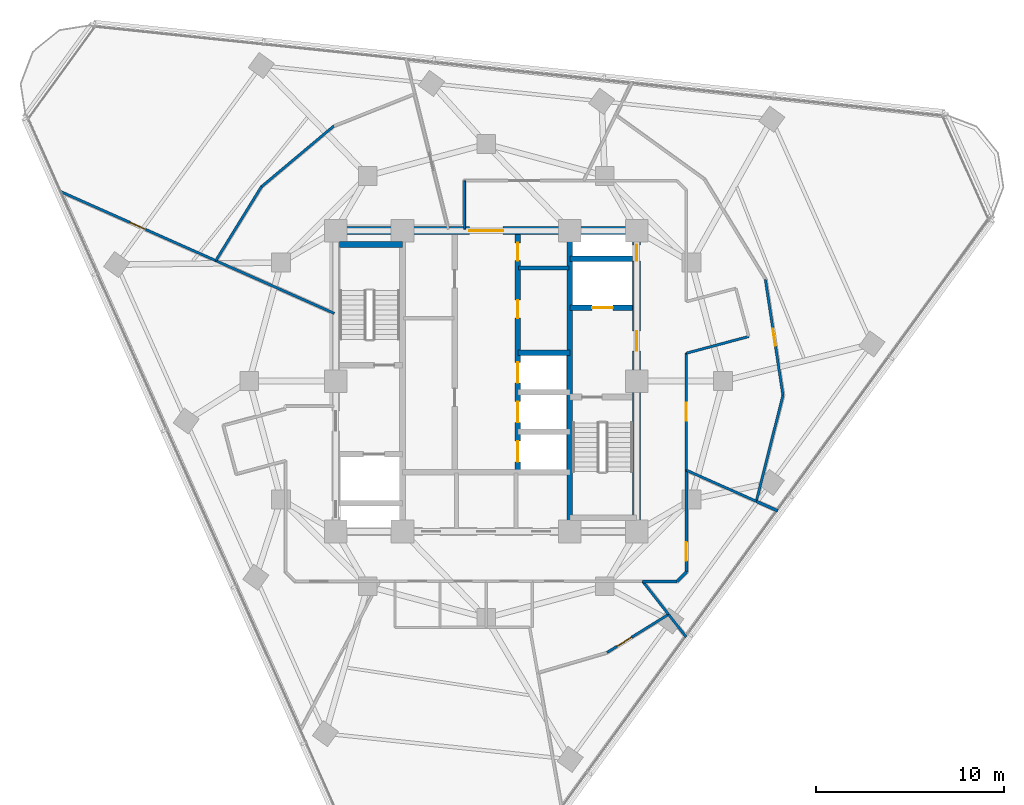
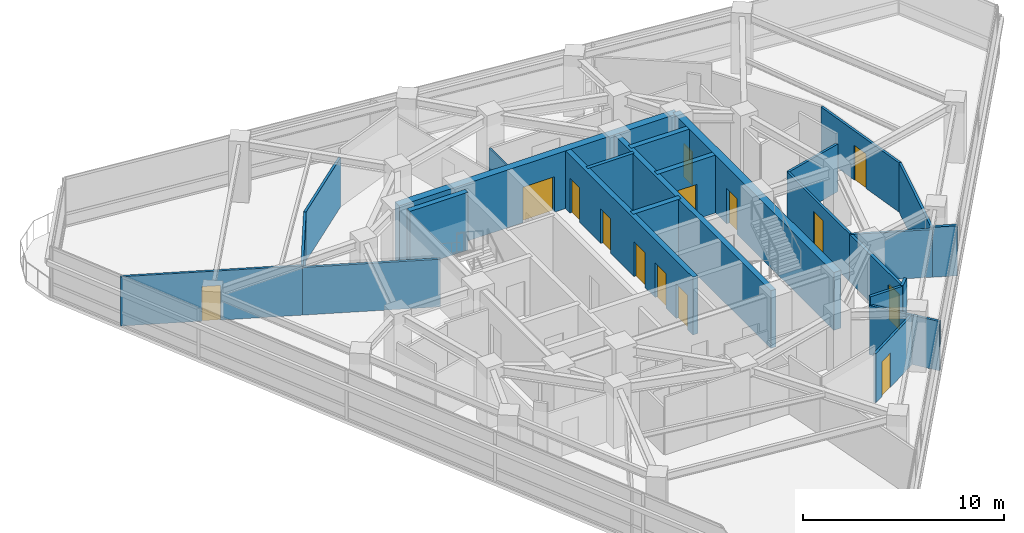
# One storey, part 9 of 15: 26 walls, 14 doors, 14 openings.
"""IFC4 building model written with IfcOpenShell, lengths in metres."""

from ifc_helpers import new_model, si_unit, direction, frame, frame_2d, origin, place, context, subcontext, project, spatial, rectangle, extrude, material, layer, layer_set, type_object, element, fill, save


model = new_model("IFC4")

# Units and contexts
model_context = context("Model", 3, precision=1e-05, world=origin(), true_north=direction((0.0, 1.0)))
body_context = subcontext(model_context, "Body", "Model", "MODEL_VIEW")
ifc_project = project(units=[si_unit("LENGTHUNIT", "METRE"), si_unit("AREAUNIT", "SQUARE_METRE"), si_unit("VOLUMEUNIT", "CUBIC_METRE"), si_unit("PLANEANGLEUNIT", "RADIAN"), si_unit("MASSUNIT", "GRAM", prefix="KILO")], contexts=[model_context])

# Site, building, storey
site_placement = place(None, origin())
site = spatial("IfcSite", under=ifc_project, at=site_placement, CompositionType="ELEMENT")
building_placement = place(site_placement, origin())
building = spatial("IfcBuilding", under=site, at=building_placement, Name="Terralouvre Media Tower", CompositionType="ELEMENT")
storey_placement = place(building_placement, frame((0.0, 0.0, 237.39990234375)))
storey = spatial("IfcBuildingStorey", under=building, at=storey_placement, Name="L61", CompositionType="ELEMENT", Elevation=237.39990234375)

# Walls
ifc_material_1 = material(Name="Concrete C50/60", Category="concrete")
ifc_layer_1 = layer(ifc_material_1, 0.300048828125, Name="Core Internal Shaft Wall CW-300")
ifc_layer_set_1 = layer_set([ifc_layer_1], Name="Concrete C50/60")
wall_type_1 = type_object("IfcWallType", Name="Core Internal Shaft Wall CW-300", PredefinedType="SHEAR", material=ifc_layer_set_1)
wall_1_placement = place(storey_placement, frame((4.449951171875, -7.7900390625, 0.0), z_axis=(0.0, 0.0, 1.0), x_axis=(0.0, 1.0, 0.0)))
element("IfcWall", 1, at=wall_1_placement, inside=storey, type_object=wall_type_1, Name="L61 Core Shaft Wall SPE", PredefinedType="SHEAR", context=body_context, shape_type="SweptSolid", body=[
    extrude(rectangle(XDim=15.580078125, YDim=0.300048828125, at=frame_2d((7.7900390625, 0.0))), origin(), (0.0, 0.0, 1.0), 3.5),
])
wall_2_placement = place(storey_placement, frame((-7.7900390625, 7.260009765625, 0.0), z_axis=(0.0, 0.0, 1.0), x_axis=(1.0, 0.0, 0.0)))
element("IfcWall", 2, at=wall_2_placement, inside=storey, type_object=wall_type_1, Name="L61 Core Shaft Wall ST1F", PredefinedType="SHEAR", context=body_context, shape_type="SweptSolid", body=[
    extrude(rectangle(XDim=3.340087890625, YDim=0.300048828125, at=frame_2d((1.669921875, 0.0))), origin(), (0.0, 0.0, 1.0), 3.5),
])

# Wall, opening, door
wall_3_placement = place(storey_placement, frame((4.449951171875, 3.89990234375, 0.0), z_axis=(0.0, 0.0, 1.0), x_axis=(1.0, 0.0, 0.0)))
wall_3 = element("IfcWall", 3, at=wall_3_placement, inside=storey, type_object=wall_type_1, Name="L61 Core Shaft Wall FF2S", PredefinedType="SHEAR", context=body_context, shape_type="SweptSolid", body=[
    extrude(rectangle(XDim=3.340087890625, YDim=0.300048828125, at=frame_2d((1.669921875, 0.0))), origin(), (0.0, 0.0, 1.0), 3.5),
])
opening_1_placement = place(wall_3_placement, frame((1.179931640625, 0.0, 0.0)))
opening_1 = element("IfcOpeningElement", 4, at=opening_1_placement, cuts=wall_3, Name="Opening LD-FF", PredefinedType="OPENING", context=body_context, shape_type="SweptSolid", body=[
    extrude(rectangle(XDim=1.10009765625, YDim=2.10009765625, at=frame_2d((0.550048828125, 1.050048828125))), frame((0.0, 0.159912109375, 0.0), z_axis=(0.0, -1.0, 0.0), x_axis=(1.0, 0.0, 0.0)), (0.0, 0.0, 1.0), 0.320068359375),
])
ifc_material_2 = material(Name="Stainless steel 316 handrail and balustrade", Category="steel")
door_type_1 = type_object("IfcDoorType", Name="Firefighting Lift Sliding Landing Door LD-FF", OperationType="SLIDING_TO_LEFT", PredefinedType="DOOR", material=ifc_material_2)
door_1_placement = place(opening_1_placement, origin())
door_1 = element("IfcDoor", 5, at=door_1_placement, inside=storey, type_object=door_type_1, Name="L61 Firefighting Lift FFL-02 Landing Door", OperationType="SLIDING_TO_LEFT", OverallHeight=2.10009765625, OverallWidth=1.10009765625, PredefinedType="DOOR", context=body_context, shape_type="SweptSolid", body=[
    extrude(rectangle(XDim=1.10009765625, YDim=2.10009765625, at=frame_2d((0.550048828125, 1.050048828125))), frame((0.0, 0.02490234375, 0.0), z_axis=(0.0, -1.0, 0.0), x_axis=(1.0, 0.0, 0.0)), (0.0, 0.0, 1.0), 0.050048828125),
])
fill(opening_1, door_1)

# Wall
wall_4_placement = place(storey_placement, frame((4.449951171875, 6.5, 0.0), z_axis=(0.0, 0.0, 1.0), x_axis=(1.0, 0.0, 0.0)))
element("IfcWall", 6, at=wall_4_placement, inside=storey, type_object=wall_type_1, Name="L61 Core Shaft Wall FF2N", PredefinedType="SHEAR", context=body_context, shape_type="SweptSolid", body=[
    extrude(rectangle(XDim=3.340087890625, YDim=0.300048828125, at=frame_2d((1.669921875, 0.0))), origin(), (0.0, 0.0, 1.0), 3.5),
])

# Wall, openings, doors
wall_5_placement = place(storey_placement, frame((1.679931640625, -4.85009765625, 0.0), z_axis=(0.0, 0.0, 1.0), x_axis=(0.0, 1.0, 0.0)))
wall_5 = element("IfcWall", 7, at=wall_5_placement, inside=storey, type_object=wall_type_1, Name="L61 Core Shaft Wall LBE", PredefinedType="SHEAR", context=body_context, shape_type="SweptSolid", body=[
    extrude(rectangle(XDim=12.64013671875, YDim=0.300048828125, at=frame_2d((6.320068359375, 0.0))), origin(), (0.0, 0.0, 1.0), 3.5),
])
opening_2_placement = place(wall_5_placement, frame((0.550048828125, 0.0, 0.0)))
opening_2 = element("IfcOpeningElement", 8, at=opening_2_placement, cuts=wall_5, Name="Opening LD-PL", PredefinedType="OPENING", context=body_context, shape_type="SweptSolid", body=[
    extrude(rectangle(XDim=1.10009765625, YDim=2.10009765625, at=frame_2d((0.550048828125, 1.050048828125))), frame((0.0, 0.159912109375, 0.0), z_axis=(0.0, -1.0, 0.0), x_axis=(1.0, 0.0, 0.0)), (0.0, 0.0, 1.0), 0.320068359375),
])
opening_3_placement = place(wall_5_placement, frame((2.64990234375, 0.0, 0.0)))
opening_3 = element("IfcOpeningElement", 9, at=opening_3_placement, cuts=wall_5, Name="Opening LD-PL", PredefinedType="OPENING", context=body_context, shape_type="SweptSolid", body=[
    extrude(rectangle(XDim=1.10009765625, YDim=2.10009765625, at=frame_2d((0.550048828125, 1.050048828125))), frame((0.0, 0.159912109375, 0.0), z_axis=(0.0, -1.0, 0.0), x_axis=(1.0, 0.0, 0.0)), (0.0, 0.0, 1.0), 0.320068359375),
])
opening_4_placement = place(wall_5_placement, frame((4.75, 0.0, 0.0)))
opening_4 = element("IfcOpeningElement", 10, at=opening_4_placement, cuts=wall_5, Name="Opening LD-PL", PredefinedType="OPENING", context=body_context, shape_type="SweptSolid", body=[
    extrude(rectangle(XDim=1.10009765625, YDim=2.10009765625, at=frame_2d((0.550048828125, 1.050048828125))), frame((0.0, 0.159912109375, 0.0), z_axis=(0.0, -1.0, 0.0), x_axis=(1.0, 0.0, 0.0)), (0.0, 0.0, 1.0), 0.320068359375),
])
opening_5_placement = place(wall_5_placement, frame((8.199951171875, 0.0, 0.0)))
opening_5 = element("IfcOpeningElement", 11, at=opening_5_placement, cuts=wall_5, Name="Opening FD-02-95X210", PredefinedType="OPENING", context=body_context, shape_type="SweptSolid", body=[
    extrude(rectangle(XDim=0.949951171875, YDim=2.10009765625, at=frame_2d((0.47509765625, 1.050048828125))), frame((0.0, 0.159912109375, 0.0), z_axis=(0.0, -1.0, 0.0), x_axis=(1.0, 0.0, 0.0)), (0.0, 0.0, 1.0), 0.320068359375),
])
opening_6_placement = place(wall_5_placement, frame((11.25, 0.0, 0.0)))
opening_6 = element("IfcOpeningElement", 12, at=opening_6_placement, cuts=wall_5, Name="Opening SD-02", PredefinedType="OPENING", context=body_context, shape_type="SweptSolid", body=[
    extrude(rectangle(XDim=0.949951171875, YDim=2.10009765625, at=frame_2d((0.47509765625, 1.050048828125))), frame((0.0, 0.159912109375, 0.0), z_axis=(0.0, -1.0, 0.0), x_axis=(1.0, 0.0, 0.0)), (0.0, 0.0, 1.0), 0.320068359375),
])
ifc_material_3 = material(Name="Galvanised steel fire-resisting leaf", Category="steel")
door_type_2 = type_object("IfcDoorType", Name="Core Service Sliding Fire Door SD-02", OperationType="SLIDING_TO_LEFT", PredefinedType="DOOR", material=ifc_material_3)
door_2_placement = place(opening_6_placement, origin())
door_2 = element("IfcDoor", 13, at=door_2_placement, inside=storey, type_object=door_type_2, Name="L61 Core Hospitality Store Door", OperationType="SLIDING_TO_LEFT", OverallHeight=2.10009765625, OverallWidth=0.949951171875, PredefinedType="DOOR", context=body_context, shape_type="SweptSolid", body=[
    extrude(rectangle(XDim=0.949951171875, YDim=2.10009765625, at=frame_2d((0.47509765625, 1.050048828125))), frame((0.0, 0.02490234375, 0.0), z_axis=(0.0, -1.0, 0.0), x_axis=(1.0, 0.0, 0.0)), (0.0, 0.0, 1.0), 0.050048828125),
])
fill(opening_6, door_2)
ifc_material_4 = material(Name="Stainless steel 316 handrail and balustrade", Category="steel")
door_type_3 = type_object("IfcDoorType", Name="Passenger Lift Sliding Landing Door LD-PL", OperationType="SLIDING_TO_LEFT", PredefinedType="DOOR", material=ifc_material_4)
door_3_placement = place(opening_2_placement, origin())
door_3 = element("IfcDoor", 14, at=door_3_placement, inside=storey, type_object=door_type_3, Name="L61 High-Rise Lift PL-H1 Landing Door", OperationType="SLIDING_TO_LEFT", OverallHeight=2.10009765625, OverallWidth=1.10009765625, PredefinedType="DOOR", context=body_context, shape_type="SweptSolid", body=[
    extrude(rectangle(XDim=1.10009765625, YDim=2.10009765625, at=frame_2d((0.550048828125, 1.050048828125))), frame((0.0, 0.02490234375, 0.0), z_axis=(0.0, -1.0, 0.0), x_axis=(1.0, 0.0, 0.0)), (0.0, 0.0, 1.0), 0.050048828125),
])
fill(opening_2, door_3)
door_4_placement = place(opening_3_placement, origin())
door_4 = element("IfcDoor", 15, at=door_4_placement, inside=storey, type_object=door_type_3, Name="L61 High-Rise Lift PL-H2 Landing Door", OperationType="SLIDING_TO_LEFT", OverallHeight=2.10009765625, OverallWidth=1.10009765625, PredefinedType="DOOR", context=body_context, shape_type="SweptSolid", body=[
    extrude(rectangle(XDim=1.10009765625, YDim=2.10009765625, at=frame_2d((0.550048828125, 1.050048828125))), frame((0.0, 0.02490234375, 0.0), z_axis=(0.0, -1.0, 0.0), x_axis=(1.0, 0.0, 0.0)), (0.0, 0.0, 1.0), 0.050048828125),
])
fill(opening_3, door_4)
door_5_placement = place(opening_4_placement, origin())
door_5 = element("IfcDoor", 16, at=door_5_placement, inside=storey, type_object=door_type_3, Name="L61 High-Rise Lift PL-H3 Landing Door", OperationType="SLIDING_TO_LEFT", OverallHeight=2.10009765625, OverallWidth=1.10009765625, PredefinedType="DOOR", context=body_context, shape_type="SweptSolid", body=[
    extrude(rectangle(XDim=1.10009765625, YDim=2.10009765625, at=frame_2d((0.550048828125, 1.050048828125))), frame((0.0, 0.02490234375, 0.0), z_axis=(0.0, -1.0, 0.0), x_axis=(1.0, 0.0, 0.0)), (0.0, 0.0, 1.0), 0.050048828125),
])
fill(opening_4, door_5)
ifc_material_5 = material(Name="Galvanised steel fire-resisting leaf", Category="steel")
door_type_4 = type_object("IfcDoorType", Name="Plant and Riser Fire Door FD-02 (950x2100)", OperationType="NOTDEFINED", PredefinedType="DOOR", material=ifc_material_5)
door_6_placement = place(opening_5_placement, origin())
door_6 = element("IfcDoor", 17, at=door_6_placement, inside=storey, type_object=door_type_4, Name="L61 Core Telemetry Plant Door", OperationType="SINGLE_SWING_RIGHT", OverallHeight=2.10009765625, OverallWidth=0.949951171875, PredefinedType="DOOR", context=body_context, shape_type="SweptSolid", body=[
    extrude(rectangle(XDim=0.949951171875, YDim=2.10009765625, at=frame_2d((0.47509765625, 1.050048828125))), frame((0.0, 0.02490234375, 0.0), z_axis=(0.0, -1.0, 0.0), x_axis=(1.0, 0.0, 0.0)), (0.0, 0.0, 1.0), 0.050048828125),
])
fill(opening_5, door_6)

# Wall
wall_6_placement = place(storey_placement, frame((1.679931640625, 1.5, 0.0), z_axis=(0.0, 0.0, 1.0), x_axis=(1.0, 0.0, 0.0)))
element("IfcWall", 18, at=wall_6_placement, inside=storey, type_object=wall_type_1, Name="L61 Core Shaft Wall PLMBOT", PredefinedType="SHEAR", context=body_context, shape_type="SweptSolid", body=[
    extrude(rectangle(XDim=2.77001953125, YDim=0.300048828125, at=frame_2d((1.385009765625, 0.0))), origin(), (0.0, 0.0, 1.0), 3.5),
])

# Wall, openings, doors
ifc_material_6 = material(Name="Concrete C60/75", Category="concrete")
ifc_layer_2 = layer(ifc_material_6, 0.419921875, Name="Core Reinforced Concrete Shear Wall CW-420")
ifc_layer_set_2 = layer_set([ifc_layer_2], Name="Concrete C60/75")
wall_type_2 = type_object("IfcWallType", Name="Core Reinforced Concrete Shear Wall CW-420", PredefinedType="SHEAR", material=ifc_layer_set_2)
wall_7_placement = place(storey_placement, frame((8.0, -8.0, 0.0), z_axis=(0.0, 0.0, 1.0), x_axis=(0.0, 1.0, 0.0)))
wall_7 = element("IfcWall", 19, at=wall_7_placement, inside=storey, type_object=wall_type_2, Name="L61 E Core Shear Wall", PredefinedType="SHEAR", context=body_context, shape_type="SweptSolid", body=[
    extrude(rectangle(XDim=16.0, YDim=0.419921875, at=frame_2d((8.0, 0.0))), origin(), (0.0, 0.0, 1.0), 3.5),
])
opening_7_placement = place(wall_7_placement, frame((9.60009765625, 0.0, 0.0)))
opening_7 = element("IfcOpeningElement", 20, at=opening_7_placement, cuts=wall_7, Name="Opening FD-01-105X215", PredefinedType="OPENING", context=body_context, shape_type="SweptSolid", body=[
    extrude(rectangle(XDim=1.050048828125, YDim=2.14990234375, at=frame_2d((0.52490234375, 1.074951171875))), frame((0.0, 0.219970703125, 0.0), z_axis=(0.0, -1.0, 0.0), x_axis=(1.0, 0.0, 0.0)), (0.0, 0.0, 1.0), 0.43994140625),
])
opening_8_placement = place(wall_7_placement, frame((14.388671875, 0.0, 0.0)))
opening_8 = element("IfcOpeningElement", 21, at=opening_8_placement, cuts=wall_7, Name="Opening TD-R1", PredefinedType="OPENING", context=body_context, shape_type="SweptSolid", body=[
    extrude(rectangle(XDim=0.85009765625, YDim=2.02001953125, at=frame_2d((0.425048828125, 1.010009765625))), frame((0.0, 0.219970703125, 0.0), z_axis=(0.0, -1.0, 0.0), x_axis=(1.0, 0.0, 0.0)), (0.0, 0.0, 1.0), 0.43994140625),
])
ifc_material_7 = material(Name="Galvanised steel fire-resisting leaf", Category="steel")
door_type_5 = type_object("IfcDoorType", Name="Riser Inspection Access Trapdoor TD-R1", OperationType="NOTDEFINED", PredefinedType="TRAPDOOR", material=ifc_material_7)
door_7_placement = place(opening_8_placement, origin())
door_7 = element("IfcDoor", 22, at=door_7_placement, inside=storey, type_object=door_type_5, Name="L61 East Comms Riser Access Trapdoor", OperationType="SINGLE_SWING_RIGHT", OverallHeight=2.02001953125, OverallWidth=0.85009765625, PredefinedType="TRAPDOOR", context=body_context, shape_type="SweptSolid", body=[
    extrude(rectangle(XDim=0.85009765625, YDim=2.02001953125, at=frame_2d((0.425048828125, 1.010009765625))), frame((0.0, 0.02490234375, 0.0), z_axis=(0.0, -1.0, 0.0), x_axis=(1.0, 0.0, 0.0)), (0.0, 0.0, 1.0), 0.050048828125),
])
fill(opening_8, door_7)
ifc_material_8 = material(Name="Galvanised steel fire-resisting leaf", Category="steel")
door_type_6 = type_object("IfcDoorType", Name="Stair and Firefighting Lobby Fire Door FD-01 (1050x2150)", OperationType="NOTDEFINED", PredefinedType="DOOR", material=ifc_material_8)
door_8_placement = place(opening_7_placement, origin())
door_8 = element("IfcDoor", 23, at=door_8_placement, inside=storey, type_object=door_type_6, Name="L61 East Firefighting Lobby Entry Door", OperationType="SINGLE_SWING_LEFT", OverallHeight=2.14990234375, OverallWidth=1.050048828125, PredefinedType="DOOR", context=body_context, shape_type="SweptSolid", body=[
    extrude(rectangle(XDim=1.050048828125, YDim=2.14990234375, at=frame_2d((0.52490234375, 1.074951171875))), frame((0.0, 0.02490234375, 0.0), z_axis=(0.0, -1.0, 0.0), x_axis=(1.0, 0.0, 0.0)), (0.0, 0.0, 1.0), 0.050048828125),
])
fill(opening_7, door_8)

# Wall, opening, door
wall_8_placement = place(storey_placement, frame((-8.0, 8.0, 0.0), z_axis=(0.0, 0.0, 1.0), x_axis=(1.0, 0.0, 0.0)))
wall_8 = element("IfcWall", 24, at=wall_8_placement, inside=storey, type_object=wall_type_2, Name="L61 N Core Shear Wall", PredefinedType="SHEAR", context=body_context, shape_type="SweptSolid", body=[
    extrude(rectangle(XDim=16.0, YDim=0.419921875, at=frame_2d((8.0, 0.0))), origin(), (0.0, 0.0, 1.0), 3.5),
])
opening_9_placement = place(wall_8_placement, frame((7.10009765625, 0.0, 0.0)))
opening_9 = element("IfcOpeningElement", 25, at=opening_9_placement, cuts=wall_8, Name="Opening FD-03", PredefinedType="OPENING", context=body_context, shape_type="SweptSolid", body=[
    extrude(rectangle(XDim=1.800048828125, YDim=2.14990234375, at=frame_2d((0.89990234375, 1.074951171875))), frame((0.0, 0.219970703125, 0.0), z_axis=(0.0, -1.0, 0.0), x_axis=(1.0, 0.0, 0.0)), (0.0, 0.0, 1.0), 0.43994140625),
])
ifc_material_9 = material(Name="Galvanised steel fire-resisting leaf", Category="steel")
door_type_7 = type_object("IfcDoorType", Name="Corridor Smoke-Control Double Door FD-03", OperationType="DOUBLE_DOOR_SINGLE_SWING", PredefinedType="DOOR", material=ifc_material_9)
door_9_placement = place(opening_9_placement, origin())
door_9 = element("IfcDoor", 26, at=door_9_placement, inside=storey, type_object=door_type_7, Name="L61 Central Lift Lobby Portal Door", OperationType="DOUBLE_DOOR_SINGLE_SWING", OverallHeight=2.14990234375, OverallWidth=1.800048828125, PredefinedType="DOOR", context=body_context, shape_type="SweptSolid", body=[
    extrude(rectangle(XDim=1.800048828125, YDim=2.14990234375, at=frame_2d((0.89990234375, 1.074951171875))), frame((0.0, 0.02490234375, 0.0), z_axis=(0.0, -1.0, 0.0), x_axis=(1.0, 0.0, 0.0)), (0.0, 0.0, 1.0), 0.050048828125),
])
fill(opening_9, door_9)

# Walls
ifc_material_10 = material(Name="Low-iron laminated double glazing with solar-control coating", Category="glass")
ifc_layer_3 = layer(ifc_material_10, 0.10009765625, Name="Demountable Glazed Office Partition PT-GL100")
ifc_layer_set_3 = layer_set([ifc_layer_3], Name="Low-iron laminated double glazing with solar-control coating")
wall_type_3 = type_object("IfcWallType", Name="Demountable Glazed Office Partition PT-GL100", PredefinedType="MOVABLE", material=ifc_layer_set_3)
wall_9_placement = place(storey_placement, frame((-1.14990234375, 10.64990234375, 0.0), z_axis=(0.0, 0.0, 1.0), x_axis=(0.0, -1.0, 0.0)))
element("IfcWall", 27, at=wall_9_placement, inside=storey, type_object=wall_type_3, Name="L61 Interior Partition 024", PredefinedType="MOVABLE", context=body_context, shape_type="SweptSolid", body=[
    extrude(rectangle(XDim=2.56982421875, YDim=0.10009765625, at=frame_2d((1.284912109375, 0.0))), origin(), (0.0, 0.0, 1.0), 2.885009765625),
])
ifc_material_11 = material(Name="Fire-rated gypsum board drywall partition")
ifc_layer_4 = layer(ifc_material_11, 0.199951171875, Name="Fire-Rated Shaft and Lobby Partition FW-200")
ifc_layer_set_4 = layer_set([ifc_layer_4], Name="Fire-rated gypsum board drywall partition")
wall_type_4 = type_object("IfcWallType", Name="Fire-Rated Shaft and Lobby Partition FW-200", PredefinedType="SOLIDWALL", material=ifc_layer_set_4)
wall_10_placement = place(storey_placement, frame((1.719970703125, 6.010009765625, 0.0), z_axis=(0.0, 0.0, 1.0), x_axis=(1.0, 0.0, 0.0)))
element("IfcWall", 28, at=wall_10_placement, inside=storey, type_object=wall_type_4, Name="L61 Core East Sub-Partition 1", PredefinedType="SOLIDWALL", context=body_context, shape_type="SweptSolid", body=[
    extrude(rectangle(XDim=2.679931640625, YDim=0.199951171875, at=frame_2d((1.33984375, 0.0))), origin(), (0.0, 0.0, 1.0), 3.5),
])

# Wall, opening, door
ifc_material_12 = material(Name="Fire-rated gypsum board drywall partition")
ifc_layer_5 = layer(ifc_material_12, 0.135009765625, Name="Newsroom Acoustic Partition PT-135")
ifc_layer_set_5 = layer_set([ifc_layer_5], Name="Fire-rated gypsum board drywall partition")
wall_type_5 = type_object("IfcWallType", Name="Newsroom Acoustic Partition PT-135", PredefinedType="PARTITIONING", material=ifc_layer_set_5)
wall_11_placement = place(storey_placement, frame((10.64990234375, -4.741943359375, 0.0), z_axis=(0.0, 0.0, 1.0), x_axis=(0.0, 1.0, 0.0)))
wall_11 = element("IfcWall", 29, at=wall_11_placement, inside=storey, type_object=wall_type_5, Name="L61 Interior Partition 008", PredefinedType="PARTITIONING", context=body_context, shape_type="SweptSolid", body=[
    extrude(rectangle(XDim=6.223876953125, YDim=0.135009765625, at=frame_2d((3.11181640625, 0.0))), origin(), (0.0, 0.0, 1.0), 2.885009765625),
])
opening_10_placement = place(wall_11_placement, frame((2.636962890625, 0.0, 0.0)))
opening_10 = element("IfcOpeningElement", 30, at=opening_10_placement, cuts=wall_11, Name="Opening ID-02-95X210", PredefinedType="OPENING", context=body_context, shape_type="SweptSolid", body=[
    extrude(rectangle(XDim=0.949951171875, YDim=2.10009765625, at=frame_2d((0.47509765625, 1.050048828125))), frame((0.0, 0.077392578125, 0.0), z_axis=(0.0, -1.0, 0.0), x_axis=(1.0, 0.0, 0.0)), (0.0, 0.0, 1.0), 0.155029296875),
])
ifc_material_13 = material(Name="Engineered hardwood acoustic timber leaf", Category="wood")
door_type_8 = type_object("IfcDoorType", Name="Office and Meeting Room Door ID-02 (950x2100)", OperationType="NOTDEFINED", PredefinedType="DOOR", material=ifc_material_13)
door_10_placement = place(opening_10_placement, origin())
door_10 = element("IfcDoor", 31, at=door_10_placement, inside=storey, type_object=door_type_8, Name="L61 Public Records Archive Storage 2 Door", OperationType="SINGLE_SWING_LEFT", OverallHeight=2.10009765625, OverallWidth=0.949951171875, PredefinedType="DOOR", context=body_context, shape_type="SweptSolid", body=[
    extrude(rectangle(XDim=0.949951171875, YDim=2.10009765625, at=frame_2d((0.47509765625, 1.050048828125))), frame((0.0, 0.02490234375, 0.0), z_axis=(0.0, -1.0, 0.0), x_axis=(1.0, 0.0, 0.0)), (0.0, 0.0, 1.0), 0.050048828125),
])
fill(opening_10, door_10)

# Walls
wall_12_placement = place(storey_placement, frame((10.64990234375, 1.48193359375, 0.0), z_axis=(0.0, 0.0, 1.0), x_axis=(0.965961397105, 0.2586862565, 0.0)))
element("IfcWall", 32, at=wall_12_placement, inside=storey, type_object=wall_type_5, Name="L61 Interior Partition 009", PredefinedType="PARTITIONING", context=body_context, shape_type="SweptSolid", body=[
    extrude(rectangle(XDim=3.4287109375, YDim=0.135009765625, at=frame_2d((1.71435546875, 0.0))), origin(), (0.0, 0.0, 1.0), 2.885009765625),
])
wall_13_placement = place(storey_placement, frame((-8.080078125, 3.59716796875, 0.0), z_axis=(0.0, 0.0, 1.0), x_axis=(-0.913494385598, 0.40685133339, 0.0)))
element("IfcWall", 33, at=wall_13_placement, inside=storey, type_object=wall_type_5, Name="L61 Interior Partition 026", PredefinedType="PARTITIONING", context=body_context, shape_type="SweptSolid", body=[
    extrude(rectangle(XDim=6.894287109375, YDim=0.135009765625, at=frame_2d((3.447265625, 0.0))), origin(), (0.0, 0.0, 1.0), 2.885009765625),
])

# Wall, opening, door
wall_14_placement = place(storey_placement, frame((-14.3779296875, 6.402099609375, 0.0), z_axis=(0.0, 0.0, 1.0), x_axis=(-0.913562917951, 0.406697424315, 0.0)))
wall_14 = element("IfcWall", 34, at=wall_14_placement, inside=storey, type_object=wall_type_5, Name="L61 Interior Partition 027", PredefinedType="PARTITIONING", context=body_context, shape_type="SweptSolid", body=[
    extrude(rectangle(XDim=9.07666015625, YDim=0.135009765625, at=frame_2d((4.538330078125, 0.0))), origin(), (0.0, 0.0, 1.0), 2.985107421875),
])
opening_11_placement = place(wall_14_placement, frame((4.078369140625, 0.0, 0.0)))
opening_11 = element("IfcOpeningElement", 35, at=opening_11_placement, cuts=wall_14, Name="Opening FD-05-92X210", PredefinedType="OPENING", context=body_context, shape_type="SweptSolid", body=[
    extrude(rectangle(XDim=0.919921875, YDim=2.10009765625, at=frame_2d((0.4599609375, 1.050048828125))), frame((0.0, 0.077392578125, 0.0), z_axis=(0.0, -1.0, 0.0), x_axis=(1.0, 0.0, 0.0)), (0.0, 0.0, 1.0), 0.155029296875),
])
ifc_material_14 = material(Name="Galvanised steel fire-resisting leaf", Category="steel")
door_type_9 = type_object("IfcDoorType", Name="Core Accessible Closet Fire Door FD-05 (920x2100)", OperationType="NOTDEFINED", PredefinedType="DOOR", material=ifc_material_14)
door_11_placement = place(opening_11_placement, origin())
door_11 = element("IfcDoor", 36, at=door_11_placement, inside=storey, type_object=door_type_9, Name="L61 Encrypted Air-Gap Server Room 10 Door", OperationType="SINGLE_SWING_RIGHT", OverallHeight=2.10009765625, OverallWidth=0.919921875, PredefinedType="DOOR", context=body_context, shape_type="SweptSolid", body=[
    extrude(rectangle(XDim=0.919921875, YDim=2.10009765625, at=frame_2d((0.4599609375, 1.050048828125))), frame((0.0, 0.02490234375, 0.0), z_axis=(0.0, -1.0, 0.0), x_axis=(1.0, 0.0, 0.0)), (0.0, 0.0, 1.0), 0.050048828125),
])
fill(opening_11, door_11)

# Walls
wall_15_placement = place(storey_placement, frame((10.64990234375, -4.741943359375, 0.0), z_axis=(0.0, 0.0, 1.0), x_axis=(0.913556239153, -0.406712426544, 0.0)))
element("IfcWall", 37, at=wall_15_placement, inside=storey, type_object=wall_type_5, Name="L61 Interior Partition 028", PredefinedType="PARTITIONING", context=body_context, shape_type="SweptSolid", body=[
    extrude(rectangle(XDim=4.064453125, YDim=0.135009765625, at=frame_2d((2.0322265625, 0.0))), origin(), (0.0, 0.0, 1.0), 2.885009765625),
])
wall_16_placement = place(storey_placement, frame((14.363037109375, -6.39501953125, 0.0), z_axis=(0.0, 0.0, 1.0), x_axis=(0.244106617879, 0.969748399899, 0.0)))
element("IfcWall", 38, at=wall_16_placement, inside=storey, type_object=wall_type_5, Name="L61 Interior Partition 029", PredefinedType="PARTITIONING", context=body_context, shape_type="SweptSolid", body=[
    extrude(rectangle(XDim=5.812744140625, YDim=0.135009765625, at=frame_2d((2.90625, 0.0))), origin(), (0.0, 0.0, 1.0), 2.985107421875),
])

# Wall, opening, door
wall_17_placement = place(storey_placement, frame((15.781982421875, -0.758056640625, 0.0), z_axis=(0.0, 0.0, 1.0), x_axis=(-0.150025845784, 0.988682075086, 0.0)))
wall_17 = element("IfcWall", 39, at=wall_17_placement, inside=storey, type_object=wall_type_5, Name="L61 Interior Partition 030", PredefinedType="PARTITIONING", context=body_context, shape_type="SweptSolid", body=[
    extrude(rectangle(XDim=6.232666015625, YDim=0.135009765625, at=frame_2d((3.1162109375, 0.0))), origin(), (0.0, 0.0, 1.0), 2.985107421875),
])
opening_12_placement = place(wall_17_placement, frame((2.65625, 0.0, 0.0)))
opening_12 = element("IfcOpeningElement", 40, at=opening_12_placement, cuts=wall_17, Name="Opening ID-03-92X210", PredefinedType="OPENING", context=body_context, shape_type="SweptSolid", body=[
    extrude(rectangle(XDim=0.919921875, YDim=2.10009765625, at=frame_2d((0.4599609375, 1.050048828125))), frame((0.0, 0.077392578125, 0.0), z_axis=(0.0, -1.0, 0.0), x_axis=(1.0, 0.0, 0.0)), (0.0, 0.0, 1.0), 0.155029296875),
])
ifc_material_15 = material(Name="Engineered hardwood acoustic timber leaf", Category="wood")
door_type_10 = type_object("IfcDoorType", Name="Accessible Restroom and Suite Door ID-03 (920x2100)", OperationType="NOTDEFINED", PredefinedType="DOOR", material=ifc_material_15)
door_12_placement = place(opening_12_placement, origin())
door_12 = element("IfcDoor", 41, at=door_12_placement, inside=storey, type_object=door_type_10, Name="L61 Source Briefing Interview Room 7 Door", OperationType="SINGLE_SWING_RIGHT", OverallHeight=2.10009765625, OverallWidth=0.919921875, PredefinedType="DOOR", context=body_context, shape_type="SweptSolid", body=[
    extrude(rectangle(XDim=0.919921875, YDim=2.10009765625, at=frame_2d((0.4599609375, 1.050048828125))), frame((0.0, 0.02490234375, 0.0), z_axis=(0.0, -1.0, 0.0), x_axis=(1.0, 0.0, 0.0)), (0.0, 0.0, 1.0), 0.050048828125),
])
fill(opening_12, door_12)

wall_18_placement = place(storey_placement, frame((9.696044921875, -12.410888671875, 0.0), z_axis=(0.0, 0.0, 1.0), x_axis=(-0.850393663863, -0.526146953295, 0.0)))
wall_18 = element("IfcWall", 42, at=wall_18_placement, inside=storey, type_object=wall_type_5, Name="L61 Interior Partition 043", PredefinedType="PARTITIONING", context=body_context, shape_type="SweptSolid", body=[
    extrude(rectangle(XDim=3.84521484375, YDim=0.135009765625, at=frame_2d((1.922607421875, 0.0))), origin(), (0.0, 0.0, 1.0), 2.985107421875),
])
opening_13_placement = place(wall_18_placement, frame((2.30859375, 0.0, 0.0)))
opening_13 = element("IfcOpeningElement", 43, at=opening_13_placement, cuts=wall_18, Name="Opening ID-03-92X210", PredefinedType="OPENING", context=body_context, shape_type="SweptSolid", body=[
    extrude(rectangle(XDim=0.919921875, YDim=2.10009765625, at=frame_2d((0.4599609375, 1.050048828125))), frame((0.0, 0.077392578125, 0.0), z_axis=(0.0, -1.0, 0.0), x_axis=(1.0, 0.0, 0.0)), (0.0, 0.0, 1.0), 0.155029296875),
])
door_13_placement = place(opening_13_placement, origin())
door_13 = element("IfcDoor", 44, at=door_13_placement, inside=storey, type_object=door_type_10, Name="L61 Investigative Desk Open Office 4 Door", OperationType="SINGLE_SWING_LEFT", OverallHeight=2.10009765625, OverallWidth=0.919921875, PredefinedType="DOOR", context=body_context, shape_type="SweptSolid", body=[
    extrude(rectangle(XDim=0.919921875, YDim=2.10009765625, at=frame_2d((0.4599609375, 1.050048828125))), frame((0.0, 0.02490234375, 0.0), z_axis=(0.0, -1.0, 0.0), x_axis=(1.0, 0.0, 0.0)), (0.0, 0.0, 1.0), 0.050048828125),
])
fill(opening_13, door_13)

# Walls
wall_19_placement = place(storey_placement, frame((10.634765625, -13.612060546875, 0.0), z_axis=(0.0, 0.0, 1.0), x_axis=(-0.615768345532, 0.787927245779, 0.0)))
element("IfcWall", 45, at=wall_19_placement, inside=storey, type_object=wall_type_5, Name="L61 Interior Partition 045", PredefinedType="PARTITIONING", context=body_context, shape_type="SweptSolid", body=[
    extrude(rectangle(XDim=1.5244140625, YDim=0.135009765625, at=frame_2d((0.76220703125, 0.0))), origin(), (0.0, 0.0, 1.0), 2.985107421875),
])
wall_20_placement = place(storey_placement, frame((9.696044921875, -12.410888671875, 0.0), z_axis=(0.0, 0.0, 1.0), x_axis=(-0.615429845305, 0.788191668002, 0.0)))
element("IfcWall", 46, at=wall_20_placement, inside=storey, type_object=wall_type_5, Name="L61 Interior Partition 046", PredefinedType="PARTITIONING", context=body_context, shape_type="SweptSolid", body=[
    extrude(rectangle(XDim=2.234130859375, YDim=0.135009765625, at=frame_2d((1.1171875, 0.0))), origin(), (0.0, 0.0, 1.0), 2.985107421875),
])
wall_21_placement = place(storey_placement, frame((-8.097900390625, 13.56689453125, 0.0), z_axis=(0.0, 0.0, 1.0), x_axis=(-0.766114520239, -0.642704085781, 0.0)))
element("IfcWall", 47, at=wall_21_placement, inside=storey, type_object=wall_type_5, Name="L61 Interior Partition 052", PredefinedType="PARTITIONING", context=body_context, shape_type="SweptSolid", body=[
    extrude(rectangle(XDim=5.03466796875, YDim=0.135009765625, at=frame_2d((2.517333984375, 0.0))), origin(), (0.0, 0.0, 1.0), 2.985107421875),
])
wall_22_placement = place(storey_placement, frame((-11.955078125, 10.3310546875, 0.0), z_axis=(0.0, 0.0, 1.0), x_axis=(-0.524888064347, -0.851171263557, 0.0)))
element("IfcWall", 48, at=wall_22_placement, inside=storey, type_object=wall_type_5, Name="L61 Interior Partition 053", PredefinedType="PARTITIONING", context=body_context, shape_type="SweptSolid", body=[
    extrude(rectangle(XDim=4.615966796875, YDim=0.135009765625, at=frame_2d((2.30810546875, 0.0))), origin(), (0.0, 0.0, 1.0), 2.985107421875),
])
ifc_material_16 = material(Name="Fire-rated gypsum board drywall partition")
ifc_layer_6 = layer(ifc_material_16, 0.159912109375, Name="Studio Acoustic Rated Partition PT-160")
ifc_layer_set_6 = layer_set([ifc_layer_6], Name="Fire-rated gypsum board drywall partition")
wall_type_6 = type_object("IfcWallType", Name="Studio Acoustic Rated Partition PT-160", PredefinedType="PARTITIONING", material=ifc_layer_set_6)
wall_23_placement = place(storey_placement, frame((8.321044921875, -10.64990234375, 0.0), z_axis=(0.0, 0.0, 1.0), x_axis=(1.0, 0.0, 0.0)))
element("IfcWall", 49, at=wall_23_placement, inside=storey, type_object=wall_type_6, Name="L61 Interior Partition 020", PredefinedType="PARTITIONING", context=body_context, shape_type="SweptSolid", body=[
    extrude(rectangle(XDim=1.828857421875, YDim=0.159912109375, at=frame_2d((0.91455078125, 0.0))), origin(), (0.0, 0.0, 1.0), 3.5),
])
wall_24_placement = place(storey_placement, frame((10.14990234375, -10.64990234375, 0.0), z_axis=(0.0, 0.0, 1.0), x_axis=(0.707106781187, 0.707106781187, 0.0)))
element("IfcWall", 50, at=wall_24_placement, inside=storey, type_object=wall_type_6, Name="L61 Interior Partition 021", PredefinedType="PARTITIONING", context=body_context, shape_type="SweptSolid", body=[
    extrude(rectangle(XDim=0.70703125, YDim=0.159912109375, at=frame_2d((0.353515625, 0.0))), origin(), (0.0, 0.0, 1.0), 3.5),
])

# Wall, opening, door
wall_25_placement = place(storey_placement, frame((10.64990234375, -10.14990234375, 0.0), z_axis=(0.0, 0.0, 1.0), x_axis=(0.0, 1.0, 0.0)))
wall_25 = element("IfcWall", 51, at=wall_25_placement, inside=storey, type_object=wall_type_6, Name="L61 Interior Partition 022", PredefinedType="PARTITIONING", context=body_context, shape_type="SweptSolid", body=[
    extrude(rectangle(XDim=5.407958984375, YDim=0.159912109375, at=frame_2d((2.7041015625, 0.0))), origin(), (0.0, 0.0, 1.0), 2.885009765625),
])
opening_14_placement = place(wall_25_placement, frame((0.58154296875, 0.0, 0.0)))
opening_14 = element("IfcOpeningElement", 52, at=opening_14_placement, cuts=wall_25, Name="Opening ID-01-100X215", PredefinedType="OPENING", context=body_context, shape_type="SweptSolid", body=[
    extrude(rectangle(XDim=1.0, YDim=2.14990234375, at=frame_2d((0.5, 1.074951171875))), frame((0.0, 0.08984375, 0.0), z_axis=(0.0, -1.0, 0.0), x_axis=(1.0, 0.0, 0.0)), (0.0, 0.0, 1.0), 0.179931640625),
])
ifc_material_17 = material(Name="Engineered hardwood acoustic timber leaf", Category="wood")
door_type_11 = type_object("IfcDoorType", Name="Broadcast Studio Acoustic Single Door ID-01 (1000x2150)", OperationType="NOTDEFINED", PredefinedType="DOOR", material=ifc_material_17)
door_14_placement = place(opening_14_placement, origin())
door_14 = element("IfcDoor", 53, at=door_14_placement, inside=storey, type_object=door_type_11, Name="L61 OSINT Verification Control Room 6 Door", OperationType="SINGLE_SWING_RIGHT", OverallHeight=2.14990234375, OverallWidth=1.0, PredefinedType="DOOR", context=body_context, shape_type="SweptSolid", body=[
    extrude(rectangle(XDim=1.0, YDim=2.14990234375, at=frame_2d((0.5, 1.074951171875))), frame((0.0, 0.02490234375, 0.0), z_axis=(0.0, -1.0, 0.0), x_axis=(1.0, 0.0, 0.0)), (0.0, 0.0, 1.0), 0.050048828125),
])
fill(opening_14, door_14)

# Wall
wall_26_placement = place(storey_placement, frame((15.508056640625, -6.904541015625, 0.0), z_axis=(0.0, 0.0, 1.0), x_axis=(-0.913626692327, 0.406554137929, 0.0)))
element("IfcWall", 54, at=wall_26_placement, inside=storey, type_object=wall_type_6, Name="L61 Interior Partition 047", PredefinedType="PARTITIONING", context=body_context, shape_type="SweptSolid", body=[
    extrude(rectangle(XDim=1.253173828125, YDim=0.159912109375, at=frame_2d((0.62646484375, 0.0))), origin(), (0.0, 0.0, 1.0), 3.03515625),
])

save(model, "model.ifc")
